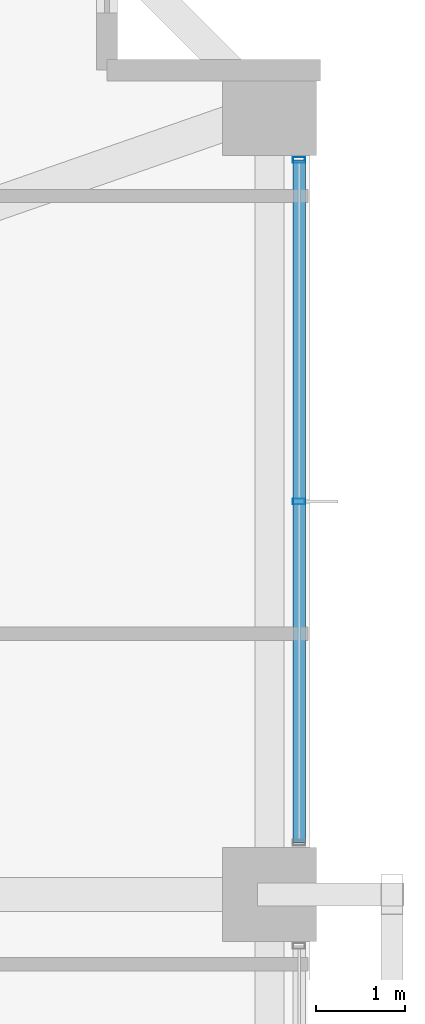
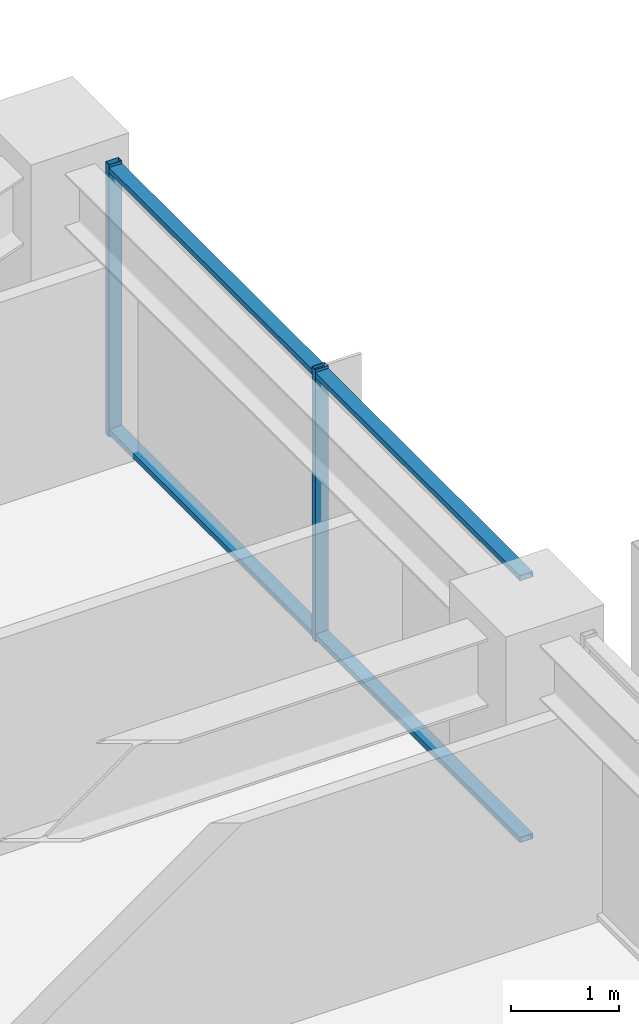
# One storey, part 25 of 38: 4 members, 1 element without a shape of its own.
"""IFC4 building model written with IfcOpenShell, lengths in metres."""

from ifc_helpers import new_model, si_unit, direction, frame, origin, origin_2d, place, context, subcontext, project, spatial, hollow_rectangle, extrude, material, material_profile, profile_set, type_object, element, aggregate, save


model = new_model("IFC4")

# Units and contexts
model_context = context("Model", 3, precision=1e-05, world=origin(), true_north=direction((0.0, 1.0)))
body_context = subcontext(model_context, "Body", "Model", "MODEL_VIEW")
ifc_project = project(units=[si_unit("LENGTHUNIT", "METRE"), si_unit("AREAUNIT", "SQUARE_METRE"), si_unit("VOLUMEUNIT", "CUBIC_METRE"), si_unit("PLANEANGLEUNIT", "RADIAN"), si_unit("MASSUNIT", "GRAM", prefix="KILO")], contexts=[model_context])

# Site, building, storey
site_placement = place(None, origin())
site = spatial("IfcSite", under=ifc_project, at=site_placement, CompositionType="ELEMENT")
building_placement = place(site_placement, origin())
building = spatial("IfcBuilding", under=site, at=building_placement, Name="Kolvaren Belvedere", CompositionType="ELEMENT")
storey_placement = place(building_placement, frame((0.0, 0.0, 72.199951171875)))
storey = spatial("IfcBuildingStorey", under=building, at=storey_placement, Name="L20", CompositionType="ELEMENT", Elevation=72.199951171875)

# Curtain wall, members
ifc_material_1 = material(Name="Anodised pale-metal aluminium AA 6063-T6", Category="aluminium")
curtain_wall_type = type_object("IfcCurtainWallType", Name="CW-Z2-MID", PredefinedType="NOTDEFINED", material=ifc_material_1)
curtain_wall_placement = place(storey_placement, origin())
curtain_wall = element("IfcCurtainWall", 1, at=curtain_wall_placement, inside=storey, type_object=curtain_wall_type, Name="L20 Unitised Curtain Wall FCW-L20-E-B1", PredefinedType="NOTDEFINED")
ifc_material_2 = material(Name="Anodised pale-metal aluminium AA 6063-T6", Category="aluminium")
ifc_material_profile_1 = material_profile(ifc_material_2, hollow_rectangle(XDim=0.06494140625, YDim=0.139892578125, WallThickness=0.00390625, at=origin_2d()), Name="ALU-MUL-140X65")
ifc_profile_set_1 = profile_set([ifc_material_profile_1], Name="Anodised pale-metal aluminium AA 6063-T6")
member_type_1 = type_object("IfcMemberType", Name="CW-MUL-140", PredefinedType="MULLION", material=ifc_profile_set_1)
member_1_placement = place(storey_placement, frame((20.280029296875, 12.822509765625, 0.0), z_axis=(0.0, 0.0, 1.0), x_axis=(0.0, 1.0, 0.0)))
member_1 = element("IfcMember", 2, at=member_1_placement, type_object=member_type_1, Name="FCW-L20-E-B1 Unitised Mullion 1", PredefinedType="MULLION", context=body_context, shape_type="SweptSolid", body=[
    extrude(hollow_rectangle(XDim=0.06494140625, YDim=0.139892578125, WallThickness=0.00390625, at=origin_2d()), origin(), (0.0, 0.0, 1.0), 3.080078125),
])
member_2_placement = place(storey_placement, frame((20.280029296875, 9.0, 0.0), z_axis=(0.0, 0.0, 1.0), x_axis=(0.0, 1.0, 0.0)))
member_2 = element("IfcMember", 3, at=member_2_placement, type_object=member_type_1, Name="FCW-L20-E-B1 Unitised Mullion 2", PredefinedType="MULLION", context=body_context, shape_type="SweptSolid", body=[
    extrude(hollow_rectangle(XDim=0.06494140625, YDim=0.139892578125, WallThickness=0.00390625, at=origin_2d()), origin(), (0.0, 0.0, 1.0), 3.080078125),
])
ifc_material_3 = material(Name="Anodised pale-metal aluminium AA 6063-T6", Category="aluminium")
ifc_material_profile_2 = material_profile(ifc_material_3, hollow_rectangle(XDim=0.06005859375, YDim=0.139892578125, WallThickness=0.00390625, at=origin_2d()), Name="ALU-TRN-140X60")
ifc_profile_set_2 = profile_set([ifc_material_profile_2], Name="Anodised pale-metal aluminium AA 6063-T6")
member_type_2 = type_object("IfcMemberType", Name="CW-TRN-140", PredefinedType="USERDEFINED", material=ifc_profile_set_2)
member_3_placement = place(storey_placement, frame((20.280029296875, 12.822509765625, 0.06005859375), z_axis=(0.0, -1.0, 0.0), x_axis=(0.0, 0.0, 1.0)))
member_3 = element("IfcMember", 4, at=member_3_placement, type_object=member_type_2, Name="FCW-L20-E-B1 Sill Transom", ObjectType="TRANSOM", PredefinedType="USERDEFINED", context=body_context, shape_type="SweptSolid", body=[
    extrude(hollow_rectangle(XDim=0.06005859375, YDim=0.139892578125, WallThickness=0.00390625, at=origin_2d()), origin(), (0.0, 0.0, 1.0), 7.64501953125),
])
member_4_placement = place(storey_placement, frame((20.280029296875, 12.822509765625, 3.02001953125), z_axis=(0.0, -1.0, 0.0), x_axis=(0.0, 0.0, 1.0)))
member_4 = element("IfcMember", 5, at=member_4_placement, type_object=member_type_2, Name="FCW-L20-E-B1 Head Transom", ObjectType="TRANSOM", PredefinedType="USERDEFINED", context=body_context, shape_type="SweptSolid", body=[
    extrude(hollow_rectangle(XDim=0.06005859375, YDim=0.139892578125, WallThickness=0.00390625, at=origin_2d()), origin(), (0.0, 0.0, 1.0), 7.64501953125),
])
aggregate(curtain_wall, [member_1, member_2, member_3, member_4])

save(model, "model.ifc")
